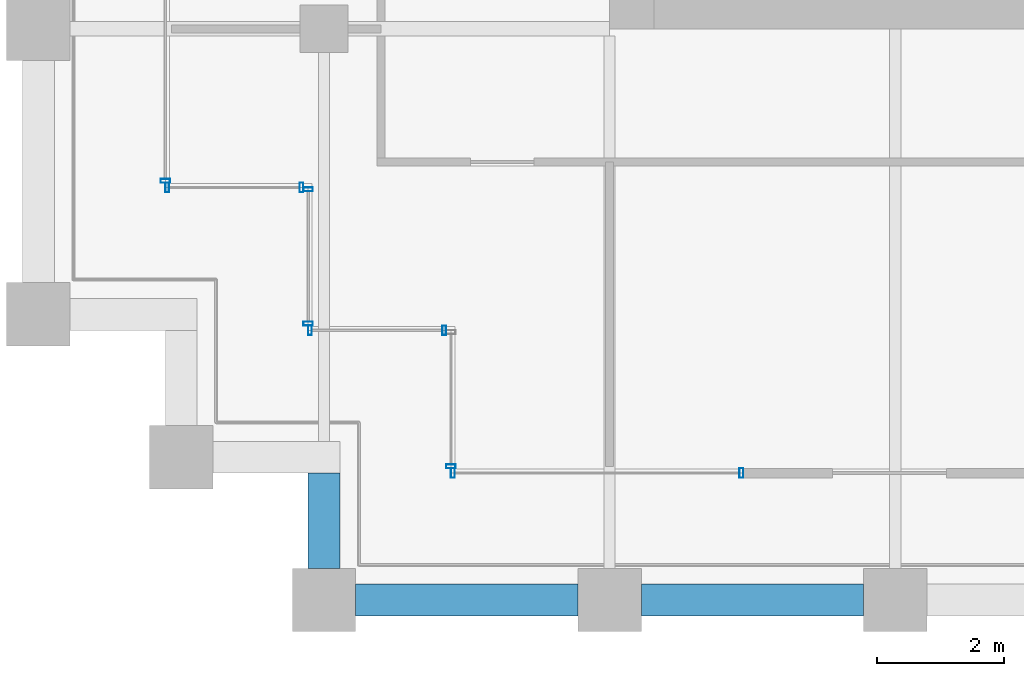
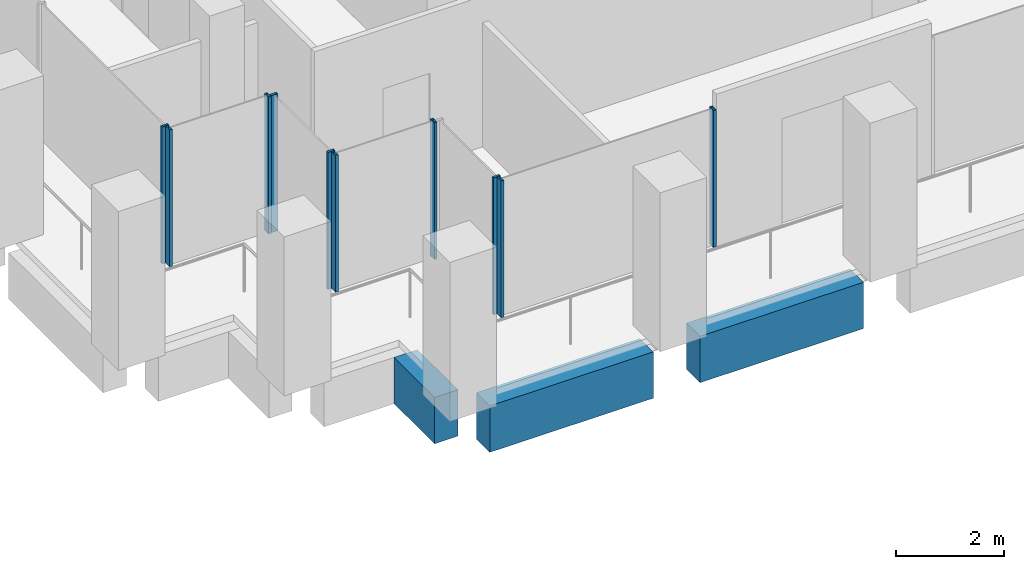
# One storey, part 28 of 46: 10 members, 3 beams, 6 elements without a shape of their own.
"""IFC4 building model written with IfcOpenShell, lengths in metres."""

from ifc_helpers import new_model, si_unit, direction, frame, origin, origin_2d, place, context, subcontext, project, spatial, rectangle, hollow_rectangle, extrude, material, material_profile, profile_set, type_object, element, aggregate, save


model = new_model("IFC4")

# Units and contexts
model_context = context("Model", 3, precision=1e-05, world=origin(), true_north=direction((0.0, 1.0)))
body_context = subcontext(model_context, "Body", "Model", "MODEL_VIEW")
ifc_project = project(units=[si_unit("LENGTHUNIT", "METRE"), si_unit("AREAUNIT", "SQUARE_METRE"), si_unit("VOLUMEUNIT", "CUBIC_METRE"), si_unit("PLANEANGLEUNIT", "RADIAN"), si_unit("MASSUNIT", "GRAM", prefix="KILO")], contexts=[model_context])

# Site, building, storey
site_placement = place(None, origin())
site = spatial("IfcSite", under=ifc_project, at=site_placement, CompositionType="ELEMENT")
building_placement = place(site_placement, origin())
building = spatial("IfcBuilding", under=site, at=building_placement, Name="Altepetl Exchange Towers", CompositionType="ELEMENT")
storey_placement = place(building_placement, frame((0.0, 0.0, 106.39990234375)))
storey = spatial("IfcBuildingStorey", under=building, at=storey_placement, Name="L26", CompositionType="ELEMENT", Elevation=106.39990234375)

# Curtain wall, member
ifc_material_1 = material(Name="Aluminium 6063-T6 glazing", Category="aluminium")
curtain_wall_type = type_object("IfcCurtainWallType", Name="Loggia glazing system", PredefinedType="NOTDEFINED", material=ifc_material_1)
curtain_wall_1_placement = place(storey_placement, origin())
curtain_wall_1 = element("IfcCurtainWall", 1, at=curtain_wall_1_placement, inside=storey, type_object=curtain_wall_type, Name="CW1 run", PredefinedType="NOTDEFINED")
ifc_material_2 = material(Name="Aluminium 6063-T6", Category="aluminium")
ifc_material_profile_1 = material_profile(ifc_material_2, hollow_rectangle(XDim=0.06005859375, YDim=0.14990234375, WallThickness=0.0029296875, at=origin_2d()), Name="Mullion 60x150 aluminium")
ifc_profile_set_1 = profile_set([ifc_material_profile_1], Name="Aluminium 6063-T6")
member_type = type_object("IfcMemberType", Name="Mullion 60x150 aluminium", PredefinedType="MULLION", material=ifc_profile_set_1)
member_1_placement = place(storey_placement, frame((96.5, 33.60498046875, 0.0), z_axis=(0.0, 0.0, 1.0), x_axis=(0.0, -1.0, 0.0)))
member_1 = element("IfcMember", 2, at=member_1_placement, type_object=member_type, Name="MU1 mullion", PredefinedType="MULLION", context=body_context, shape_type="SweptSolid", body=[
    extrude(hollow_rectangle(XDim=0.06005859375, YDim=0.14990234375, WallThickness=0.0029296875, at=origin_2d()), origin(), (0.0, 0.0, 1.0), 3.10009765625),
])
aggregate(curtain_wall_1, [member_1])

# Curtain wall, members
curtain_wall_2_placement = place(storey_placement, origin())
curtain_wall_2 = element("IfcCurtainWall", 3, at=curtain_wall_2_placement, inside=storey, type_object=curtain_wall_type, Name="CW1 run", PredefinedType="NOTDEFINED")
member_2_placement = place(storey_placement, frame((96.530029296875, 33.5, 0.0)))
member_2 = element("IfcMember", 4, at=member_2_placement, type_object=member_type, Name="MU1 mullion", PredefinedType="MULLION", context=body_context, shape_type="SweptSolid", body=[
    extrude(hollow_rectangle(XDim=0.06005859375, YDim=0.14990234375, WallThickness=0.0029296875, at=origin_2d()), origin(), (0.0, 0.0, 1.0), 3.10009765625),
])
member_3_placement = place(storey_placement, frame((98.64501953125, 33.5, 0.0)))
member_3 = element("IfcMember", 5, at=member_3_placement, type_object=member_type, Name="MU1 mullion", PredefinedType="MULLION", context=body_context, shape_type="SweptSolid", body=[
    extrude(hollow_rectangle(XDim=0.06005859375, YDim=0.14990234375, WallThickness=0.0029296875, at=origin_2d()), origin(), (0.0, 0.0, 1.0), 3.10009765625),
])
aggregate(curtain_wall_2, [member_2, member_3])

curtain_wall_3_placement = place(storey_placement, origin())
curtain_wall_3 = element("IfcCurtainWall", 6, at=curtain_wall_3_placement, inside=storey, type_object=curtain_wall_type, Name="CW1 run", PredefinedType="NOTDEFINED")
member_4_placement = place(storey_placement, frame((98.75, 33.469970703125, 0.0), z_axis=(0.0, 0.0, 1.0), x_axis=(0.0, -1.0, 0.0)))
member_4 = element("IfcMember", 7, at=member_4_placement, type_object=member_type, Name="MU1 mullion", PredefinedType="MULLION", context=body_context, shape_type="SweptSolid", body=[
    extrude(hollow_rectangle(XDim=0.06005859375, YDim=0.14990234375, WallThickness=0.0029296875, at=origin_2d()), origin(), (0.0, 0.0, 1.0), 3.10009765625),
])
member_5_placement = place(storey_placement, frame((98.75, 31.35498046875, 0.0), z_axis=(0.0, 0.0, 1.0), x_axis=(0.0, -1.0, 0.0)))
member_5 = element("IfcMember", 8, at=member_5_placement, type_object=member_type, Name="MU1 mullion", PredefinedType="MULLION", context=body_context, shape_type="SweptSolid", body=[
    extrude(hollow_rectangle(XDim=0.06005859375, YDim=0.14990234375, WallThickness=0.0029296875, at=origin_2d()), origin(), (0.0, 0.0, 1.0), 3.10009765625),
])
aggregate(curtain_wall_3, [member_4, member_5])

curtain_wall_4_placement = place(storey_placement, origin())
curtain_wall_4 = element("IfcCurtainWall", 9, at=curtain_wall_4_placement, inside=storey, type_object=curtain_wall_type, Name="CW1 run", PredefinedType="NOTDEFINED")
member_6_placement = place(storey_placement, frame((98.780029296875, 31.25, 0.0)))
member_6 = element("IfcMember", 10, at=member_6_placement, type_object=member_type, Name="MU1 mullion", PredefinedType="MULLION", context=body_context, shape_type="SweptSolid", body=[
    extrude(hollow_rectangle(XDim=0.06005859375, YDim=0.14990234375, WallThickness=0.0029296875, at=origin_2d()), origin(), (0.0, 0.0, 1.0), 3.10009765625),
])
member_7_placement = place(storey_placement, frame((100.89501953125, 31.25, 0.0)))
member_7 = element("IfcMember", 11, at=member_7_placement, type_object=member_type, Name="MU1 mullion", PredefinedType="MULLION", context=body_context, shape_type="SweptSolid", body=[
    extrude(hollow_rectangle(XDim=0.06005859375, YDim=0.14990234375, WallThickness=0.0029296875, at=origin_2d()), origin(), (0.0, 0.0, 1.0), 3.10009765625),
])
aggregate(curtain_wall_4, [member_6, member_7])

# Curtain wall, member
curtain_wall_5_placement = place(storey_placement, origin())
curtain_wall_5 = element("IfcCurtainWall", 12, at=curtain_wall_5_placement, inside=storey, type_object=curtain_wall_type, Name="CW1 run", PredefinedType="NOTDEFINED")
member_8_placement = place(storey_placement, frame((101.0, 29.10498046875, 0.0), z_axis=(0.0, 0.0, 1.0), x_axis=(0.0, -1.0, 0.0)))
member_8 = element("IfcMember", 13, at=member_8_placement, type_object=member_type, Name="MU1 mullion", PredefinedType="MULLION", context=body_context, shape_type="SweptSolid", body=[
    extrude(hollow_rectangle(XDim=0.06005859375, YDim=0.14990234375, WallThickness=0.0029296875, at=origin_2d()), origin(), (0.0, 0.0, 1.0), 3.10009765625),
])
aggregate(curtain_wall_5, [member_8])

# Curtain wall, members
curtain_wall_6_placement = place(storey_placement, origin())
curtain_wall_6 = element("IfcCurtainWall", 14, at=curtain_wall_6_placement, inside=storey, type_object=curtain_wall_type, Name="CW1 run", PredefinedType="NOTDEFINED")
member_9_placement = place(storey_placement, frame((101.030029296875, 29.0, 0.0)))
member_9 = element("IfcMember", 15, at=member_9_placement, type_object=member_type, Name="MU1 mullion", PredefinedType="MULLION", context=body_context, shape_type="SweptSolid", body=[
    extrude(hollow_rectangle(XDim=0.06005859375, YDim=0.14990234375, WallThickness=0.0029296875, at=origin_2d()), origin(), (0.0, 0.0, 1.0), 3.10009765625),
])
member_10_placement = place(storey_placement, frame((105.576171875, 29.0, 0.0)))
member_10 = element("IfcMember", 16, at=member_10_placement, type_object=member_type, Name="MU1 mullion", PredefinedType="MULLION", context=body_context, shape_type="SweptSolid", body=[
    extrude(hollow_rectangle(XDim=0.06005859375, YDim=0.14990234375, WallThickness=0.0029296875, at=origin_2d()), origin(), (0.0, 0.0, 1.0), 3.10009765625),
])
aggregate(curtain_wall_6, [member_9, member_10])

# Beams
ifc_material_3 = material(Name="Concrete C50/60 precast with tezontle facing", Category="concrete")
ifc_material_profile_2 = material_profile(ifc_material_3, rectangle(XDim=0.5, YDim=1.050048828125, at=origin_2d()), Name="500 x 1050")
ifc_profile_set_2 = profile_set([ifc_material_profile_2], Name="Concrete C50/60 precast with tezontle facing")
beam_type = type_object("IfcBeamType", Name="Spandrel beam 500x1050 tezontle", PredefinedType="SPANDREL", material=ifc_profile_set_2)
for number, where, z_axis, x_axis, name in (
    (17, (99.5, 27.0, -0.6748046875), (1.0, 0.0, 0.0), (0.0, 1.0, 0.0), "sp:B:L26:000"),
    (18, (104.0, 27.0, -0.6748046875), (1.0, 0.0, 0.0), (0.0, 1.0, 0.0), "sp:B:L26:001"),
):
    element("IfcBeam", number, at=place(storey_placement, frame(where, z_axis=z_axis, x_axis=x_axis)), inside=storey, type_object=beam_type, Name=name, PredefinedType="SPANDREL", context=body_context, shape_type="SweptSolid", body=[
        extrude(rectangle(XDim=0.5, YDim=1.050048828125, at=origin_2d()), origin(), (0.0, 0.0, 1.0), 3.5),
    ])
beam_placement = place(storey_placement, frame((99.0, 29.0, -0.6748046875), z_axis=(0.0, -1.0, 0.0), x_axis=(1.0, 0.0, 0.0)))
element("IfcBeam", 19, at=beam_placement, inside=storey, type_object=beam_type, Name="sp:B:L26:030", PredefinedType="SPANDREL", context=body_context, shape_type="SweptSolid", body=[
    extrude(rectangle(XDim=0.5, YDim=1.050048828125, at=origin_2d()), origin(), (0.0, 0.0, 1.0), 1.5),
])

save(model, "model.ifc")
